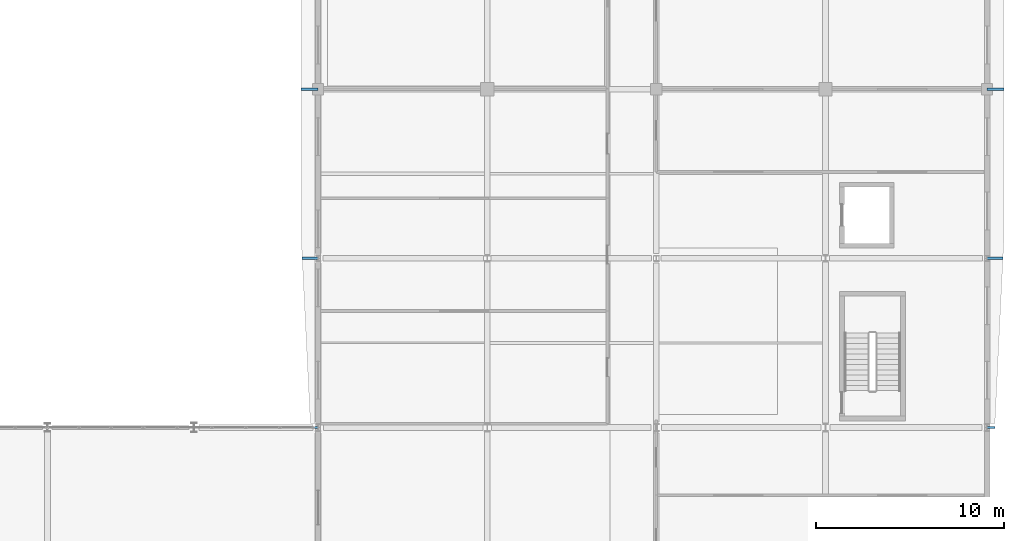
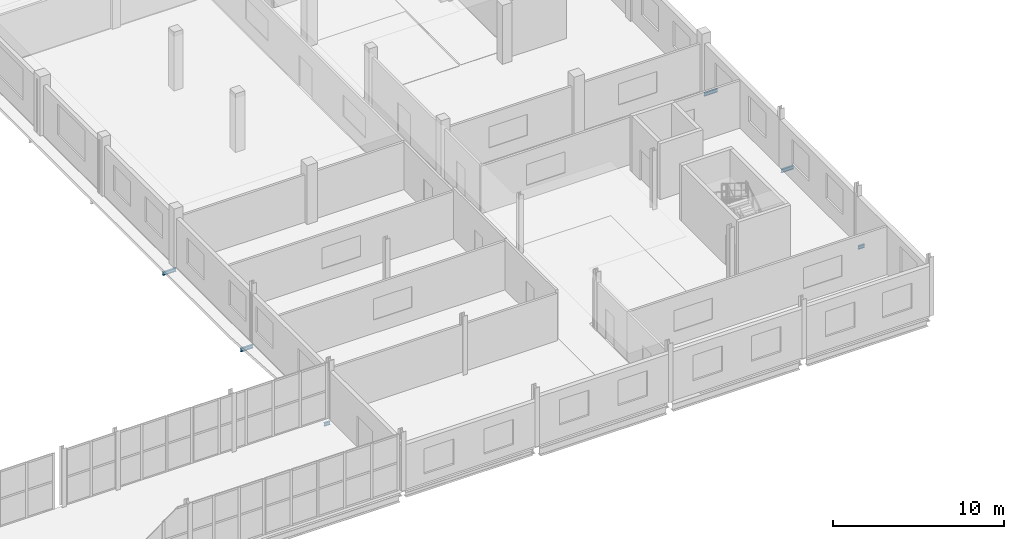
# One storey, part 76 of 121: 6 beams.
"""IFC4 building model written with IfcOpenShell, lengths in metres."""

from ifc_helpers import new_model, si_unit, direction, frame, origin, origin_2d, place, context, subcontext, project, spatial, i_section, extrude, material, material_profile, profile_set, type_object, element, save


model = new_model("IFC4")

# Units and contexts
model_context = context("Model", 3, precision=1e-05, world=origin(), true_north=direction((0.0, 1.0)))
body_context = subcontext(model_context, "Body", "Model", "MODEL_VIEW")
ifc_project = project(units=[si_unit("LENGTHUNIT", "METRE"), si_unit("AREAUNIT", "SQUARE_METRE"), si_unit("VOLUMEUNIT", "CUBIC_METRE"), si_unit("PLANEANGLEUNIT", "RADIAN"), si_unit("MASSUNIT", "GRAM", prefix="KILO")], contexts=[model_context])

# Site, building, storey
site_placement = place(None, origin())
site = spatial("IfcSite", under=ifc_project, at=site_placement, CompositionType="ELEMENT")
building_placement = place(site_placement, origin())
building = spatial("IfcBuilding", under=site, at=building_placement, Name="Vinh Khe Railworks Police Headquarters", CompositionType="ELEMENT")
storey_placement = place(building_placement, frame((0.0, 0.0, 4.800048828125)))
storey = spatial("IfcBuildingStorey", under=building, at=storey_placement, Name="L01", CompositionType="ELEMENT", Elevation=4.800048828125)

# Beams
ifc_material = material(Name="Steel S355JR", Category="steel")
ifc_material_profile = material_profile(ifc_material, i_section(OverallWidth=0.1201171875, OverallDepth=0.239990234375, WebThickness=0.006103515625, FlangeThickness=0.009765625, FilletRadius=0.014892578125, at=origin_2d()), Name="IPE 240")
ifc_profile_set = profile_set([ifc_material_profile], Name="Steel S355JR")
beam_type = type_object("IfcBeamType", Name="Monsoon Hood Outrigger IPE 240", PredefinedType="BEAM", material=ifc_profile_set)
beam_1_placement = place(storey_placement, frame((77.58740234375, 104.39990234375, -0.360107421875), z_axis=(1.0, 0.0, 0.0), x_axis=(0.0, 1.0, 0.0)))
element("IfcBeam", 1, at=beam_1_placement, inside=storey, type_object=beam_type, Name="Monsoon Sun-Hood Outrigger L01-145", PredefinedType="BEAM", context=body_context, shape_type="SweptSolid", body=[
    extrude(i_section(OverallWidth=0.1201171875, OverallDepth=0.239990234375, WebThickness=0.006103515625, FlangeThickness=0.009765625, FilletRadius=0.014892578125, at=origin_2d()), origin(), (0.0, 0.0, 1.0), 0.41259765625),
])
beam_2_placement = place(storey_placement, frame((77.153564453125, 113.39990234375, -0.360107421875), z_axis=(1.0, 0.0, 0.0), x_axis=(0.0, 1.0, 0.0)))
element("IfcBeam", 2, at=beam_2_placement, inside=storey, type_object=beam_type, Name="Monsoon Sun-Hood Outrigger L01-146", PredefinedType="BEAM", context=body_context, shape_type="SweptSolid", body=[
    extrude(i_section(OverallWidth=0.1201171875, OverallDepth=0.239990234375, WebThickness=0.006103515625, FlangeThickness=0.009765625, FilletRadius=0.014892578125, at=origin_2d()), origin(), (0.0, 0.0, 1.0), 0.846435546875),
])
beam_3_placement = place(storey_placement, frame((77.10009765625, 122.39990234375, -0.360107421875), z_axis=(1.0, 0.0, 0.0), x_axis=(0.0, 1.0, 0.0)))
element("IfcBeam", 3, at=beam_3_placement, inside=storey, type_object=beam_type, Name="Monsoon Sun-Hood Outrigger L01-147", PredefinedType="BEAM", context=body_context, shape_type="SweptSolid", body=[
    extrude(i_section(OverallWidth=0.1201171875, OverallDepth=0.239990234375, WebThickness=0.006103515625, FlangeThickness=0.009765625, FilletRadius=0.014892578125, at=origin_2d()), origin(), (0.0, 0.0, 1.0), 0.89990234375),
])
beam_4_placement = place(storey_placement, frame((113.60009765625, 104.39990234375, -0.360107421875), z_axis=(1.0, 0.0, 0.0), x_axis=(0.0, 1.0, 0.0)))
element("IfcBeam", 4, at=beam_4_placement, inside=storey, type_object=beam_type, Name="Monsoon Sun-Hood Outrigger L01-154", PredefinedType="BEAM", context=body_context, shape_type="SweptSolid", body=[
    extrude(i_section(OverallWidth=0.1201171875, OverallDepth=0.239990234375, WebThickness=0.006103515625, FlangeThickness=0.009765625, FilletRadius=0.014892578125, at=origin_2d()), origin(), (0.0, 0.0, 1.0), 0.4189453125),
])
beam_5_placement = place(storey_placement, frame((113.60009765625, 113.39990234375, -0.360107421875), z_axis=(1.0, 0.0, 0.0), x_axis=(0.0, 1.0, 0.0)))
element("IfcBeam", 5, at=beam_5_placement, inside=storey, type_object=beam_type, Name="Monsoon Sun-Hood Outrigger L01-155", PredefinedType="BEAM", context=body_context, shape_type="SweptSolid", body=[
    extrude(i_section(OverallWidth=0.1201171875, OverallDepth=0.239990234375, WebThickness=0.006103515625, FlangeThickness=0.009765625, FilletRadius=0.014892578125, at=origin_2d()), origin(), (0.0, 0.0, 1.0), 0.846923828125),
])
beam_6_placement = place(storey_placement, frame((113.60009765625, 122.39990234375, -0.360107421875), z_axis=(1.0, 0.0, 0.0), x_axis=(0.0, 1.0, 0.0)))
element("IfcBeam", 6, at=beam_6_placement, inside=storey, type_object=beam_type, Name="Monsoon Sun-Hood Outrigger L01-156", PredefinedType="BEAM", context=body_context, shape_type="SweptSolid", body=[
    extrude(i_section(OverallWidth=0.1201171875, OverallDepth=0.239990234375, WebThickness=0.006103515625, FlangeThickness=0.009765625, FilletRadius=0.014892578125, at=origin_2d()), origin(), (0.0, 0.0, 1.0), 0.89990234375),
])

save(model, "model.ifc")
